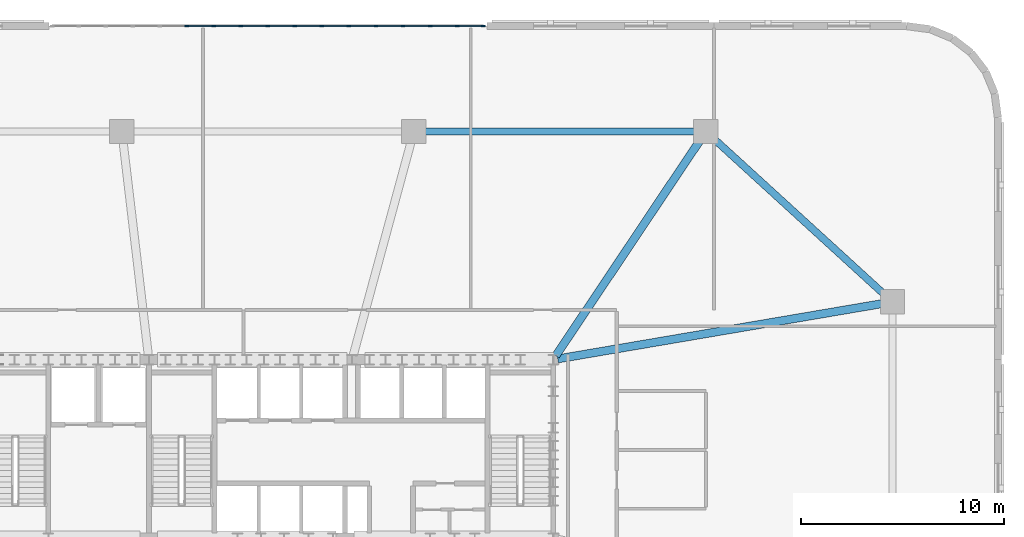
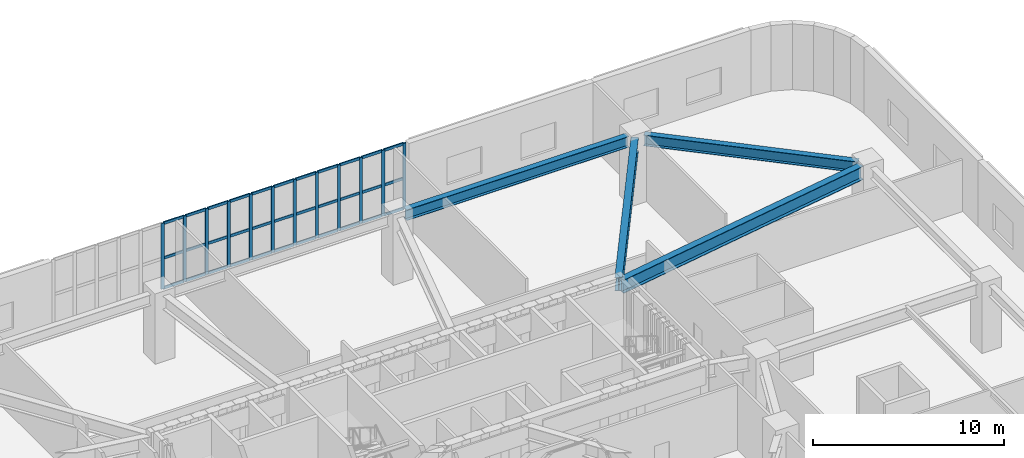
# One storey, part 10 of 25: 45 members, 4 beams, 1 element without a shape of its own.
"""IFC4 building model written with IfcOpenShell, lengths in metres."""

from ifc_helpers import new_model, si_unit, direction, frame, origin, origin_2d, place, context, subcontext, project, spatial, rectangle, i_section, extrude, material, material_profile, profile_set, type_object, element, aggregate, save


model = new_model("IFC4")

# Units and contexts
model_context = context("Model", 3, precision=1e-05, world=origin(), true_north=direction((0.0, 1.0)))
body_context = subcontext(model_context, "Body", "Model", "MODEL_VIEW")
ifc_project = project(units=[si_unit("LENGTHUNIT", "METRE"), si_unit("AREAUNIT", "SQUARE_METRE"), si_unit("VOLUMEUNIT", "CUBIC_METRE"), si_unit("PLANEANGLEUNIT", "RADIAN"), si_unit("MASSUNIT", "GRAM", prefix="KILO")], contexts=[model_context])

# Site, building, storey
site_placement = place(None, origin())
site = spatial("IfcSite", under=ifc_project, at=site_placement, CompositionType="ELEMENT")
building_placement = place(site_placement, origin())
building = spatial("IfcBuilding", under=site, at=building_placement, Name="Haldorwick Loom Tower", CompositionType="ELEMENT")
storey_placement = place(building_placement, frame((0.0, 0.0, 15.0)))
storey = spatial("IfcBuildingStorey", under=building, at=storey_placement, Name="L03", CompositionType="ELEMENT", Elevation=15.0)

# Curtain wall, members
ifc_material_1 = material(Name="Thermally Broken Anodized Aluminium Curtain Wall Framing", Category="aluminium")
curtain_wall_type = type_object("IfcCurtainWallType", Name="ARC-CW-02", PredefinedType="NOTDEFINED", material=ifc_material_1)
curtain_wall_placement = place(storey_placement, origin())
curtain_wall = element("IfcCurtainWall", 1, at=curtain_wall_placement, inside=storey, type_object=curtain_wall_type, Name="L03 Facade Curtain Wall CW-02 Bay 19", PredefinedType="NOTDEFINED")
ifc_material_profile_1 = material_profile(ifc_material_1, rectangle(XDim=0.070068359375, YDim=0.195068359375, at=origin_2d()), Name="ALU_MUL_70X195", Category="aluminium")
ifc_profile_set_1 = profile_set([ifc_material_profile_1], Name="Thermally Broken Anodized Aluminium Curtain Wall Framing")
member_type_1 = type_object("IfcMemberType", Name="ARC-CWM-02", PredefinedType="MULLION", material=ifc_profile_set_1)
member_1_placement = place(storey_placement, frame((46.625, 52.0, 0.0), z_axis=(0.0, 0.0, 1.0), x_axis=(0.0, -1.0, 0.0)))
member_1 = element("IfcMember", 2, at=member_1_placement, type_object=member_type_1, Name="CW-02 mullion 1", PredefinedType="MULLION", context=body_context, shape_type="SweptSolid", body=[
    extrude(rectangle(XDim=0.070068359375, YDim=0.195068359375, at=origin_2d()), origin(), (0.0, 0.0, 1.0), 4.199951171875),
])
member_2_placement = place(storey_placement, frame((45.327392578125, 52.0, 0.0), z_axis=(0.0, 0.0, 1.0), x_axis=(0.0, -1.0, 0.0)))
member_2 = element("IfcMember", 3, at=member_2_placement, type_object=member_type_1, Name="CW-02 mullion 2", PredefinedType="MULLION", context=body_context, shape_type="SweptSolid", body=[
    extrude(rectangle(XDim=0.070068359375, YDim=0.195068359375, at=origin_2d()), origin(), (0.0, 0.0, 1.0), 4.199951171875),
])
member_3_placement = place(storey_placement, frame((43.9951171875, 52.0, 0.0), z_axis=(0.0, 0.0, 1.0), x_axis=(0.0, -1.0, 0.0)))
member_3 = element("IfcMember", 4, at=member_3_placement, type_object=member_type_1, Name="CW-02 mullion 3", PredefinedType="MULLION", context=body_context, shape_type="SweptSolid", body=[
    extrude(rectangle(XDim=0.070068359375, YDim=0.195068359375, at=origin_2d()), origin(), (0.0, 0.0, 1.0), 4.199951171875),
])
member_4_placement = place(storey_placement, frame((42.66259765625, 52.0, 0.0), z_axis=(0.0, 0.0, 1.0), x_axis=(0.0, -1.0, 0.0)))
member_4 = element("IfcMember", 5, at=member_4_placement, type_object=member_type_1, Name="CW-02 mullion 4", PredefinedType="MULLION", context=body_context, shape_type="SweptSolid", body=[
    extrude(rectangle(XDim=0.070068359375, YDim=0.195068359375, at=origin_2d()), origin(), (0.0, 0.0, 1.0), 4.199951171875),
])
member_5_placement = place(storey_placement, frame((41.330078125, 52.0, 0.0), z_axis=(0.0, 0.0, 1.0), x_axis=(0.0, -1.0, 0.0)))
member_5 = element("IfcMember", 6, at=member_5_placement, type_object=member_type_1, Name="CW-02 mullion 5", PredefinedType="MULLION", context=body_context, shape_type="SweptSolid", body=[
    extrude(rectangle(XDim=0.070068359375, YDim=0.195068359375, at=origin_2d()), origin(), (0.0, 0.0, 1.0), 4.199951171875),
])
member_6_placement = place(storey_placement, frame((39.99755859375, 52.0, 0.0), z_axis=(0.0, 0.0, 1.0), x_axis=(0.0, -1.0, 0.0)))
member_6 = element("IfcMember", 7, at=member_6_placement, type_object=member_type_1, Name="CW-02 mullion 6", PredefinedType="MULLION", context=body_context, shape_type="SweptSolid", body=[
    extrude(rectangle(XDim=0.070068359375, YDim=0.195068359375, at=origin_2d()), origin(), (0.0, 0.0, 1.0), 4.199951171875),
])
member_7_placement = place(storey_placement, frame((38.6650390625, 52.0, 0.0), z_axis=(0.0, 0.0, 1.0), x_axis=(0.0, -1.0, 0.0)))
member_7 = element("IfcMember", 8, at=member_7_placement, type_object=member_type_1, Name="CW-02 mullion 7", PredefinedType="MULLION", context=body_context, shape_type="SweptSolid", body=[
    extrude(rectangle(XDim=0.070068359375, YDim=0.195068359375, at=origin_2d()), origin(), (0.0, 0.0, 1.0), 4.199951171875),
])
member_8_placement = place(storey_placement, frame((37.33251953125, 52.0, 0.0), z_axis=(0.0, 0.0, 1.0), x_axis=(0.0, -1.0, 0.0)))
member_8 = element("IfcMember", 9, at=member_8_placement, type_object=member_type_1, Name="CW-02 mullion 8", PredefinedType="MULLION", context=body_context, shape_type="SweptSolid", body=[
    extrude(rectangle(XDim=0.070068359375, YDim=0.195068359375, at=origin_2d()), origin(), (0.0, 0.0, 1.0), 4.199951171875),
])
member_9_placement = place(storey_placement, frame((36.0, 52.0, 0.0), z_axis=(0.0, 0.0, 1.0), x_axis=(0.0, -1.0, 0.0)))
member_9 = element("IfcMember", 10, at=member_9_placement, type_object=member_type_1, Name="CW-02 mullion 9", PredefinedType="MULLION", context=body_context, shape_type="SweptSolid", body=[
    extrude(rectangle(XDim=0.070068359375, YDim=0.195068359375, at=origin_2d()), origin(), (0.0, 0.0, 1.0), 4.199951171875),
])
member_10_placement = place(storey_placement, frame((34.66748046875, 52.0, 0.0), z_axis=(0.0, 0.0, 1.0), x_axis=(0.0, -1.0, 0.0)))
member_10 = element("IfcMember", 11, at=member_10_placement, type_object=member_type_1, Name="CW-02 mullion 10", PredefinedType="MULLION", context=body_context, shape_type="SweptSolid", body=[
    extrude(rectangle(XDim=0.070068359375, YDim=0.195068359375, at=origin_2d()), origin(), (0.0, 0.0, 1.0), 4.199951171875),
])
member_11_placement = place(storey_placement, frame((33.3349609375, 52.0, 0.0), z_axis=(0.0, 0.0, 1.0), x_axis=(0.0, -1.0, 0.0)))
member_11 = element("IfcMember", 12, at=member_11_placement, type_object=member_type_1, Name="CW-02 mullion 11", PredefinedType="MULLION", context=body_context, shape_type="SweptSolid", body=[
    extrude(rectangle(XDim=0.070068359375, YDim=0.195068359375, at=origin_2d()), origin(), (0.0, 0.0, 1.0), 4.199951171875),
])
member_12_placement = place(storey_placement, frame((32.00244140625, 52.0, 0.0), z_axis=(0.0, 0.0, 1.0), x_axis=(0.0, -1.0, 0.0)))
member_12 = element("IfcMember", 13, at=member_12_placement, type_object=member_type_1, Name="CW-02 mullion 12", PredefinedType="MULLION", context=body_context, shape_type="SweptSolid", body=[
    extrude(rectangle(XDim=0.070068359375, YDim=0.195068359375, at=origin_2d()), origin(), (0.0, 0.0, 1.0), 4.199951171875),
])
ifc_material_profile_2 = material_profile(ifc_material_1, rectangle(XDim=0.070068359375, YDim=0.175048828125, at=origin_2d()), Name="ALU_TRN_70X175", Category="aluminium")
ifc_profile_set_2 = profile_set([ifc_material_profile_2], Name="Thermally Broken Anodized Aluminium Curtain Wall Framing")
member_type_2 = type_object("IfcMemberType", Name="ARC-CWT-02", PredefinedType="USERDEFINED", material=ifc_profile_set_2)
member_13_placement = place(storey_placement, frame((46.590087890625, 52.0, 0.034912109375), z_axis=(-1.0, 0.0, 0.0), x_axis=(0.0, -1.0, 0.0)))
member_13 = element("IfcMember", 14, at=member_13_placement, type_object=member_type_2, Name="CW-02 transom 1.1", ObjectType="TRANSOM", PredefinedType="USERDEFINED", context=body_context, shape_type="SweptSolid", body=[
    extrude(rectangle(XDim=0.070068359375, YDim=0.175048828125, at=origin_2d()), origin(), (0.0, 0.0, 1.0), 1.2275390625),
])
member_14_placement = place(storey_placement, frame((46.590087890625, 52.0, 1.949951171875), z_axis=(-1.0, 0.0, 0.0), x_axis=(0.0, -1.0, 0.0)))
member_14 = element("IfcMember", 15, at=member_14_placement, type_object=member_type_2, Name="CW-02 transom 1.2", ObjectType="TRANSOM", PredefinedType="USERDEFINED", context=body_context, shape_type="SweptSolid", body=[
    extrude(rectangle(XDim=0.070068359375, YDim=0.175048828125, at=origin_2d()), origin(), (0.0, 0.0, 1.0), 1.2275390625),
])
member_15_placement = place(storey_placement, frame((46.590087890625, 52.0, 4.1650390625), z_axis=(-1.0, 0.0, 0.0), x_axis=(0.0, -1.0, 0.0)))
member_15 = element("IfcMember", 16, at=member_15_placement, type_object=member_type_2, Name="CW-02 transom 1.3", ObjectType="TRANSOM", PredefinedType="USERDEFINED", context=body_context, shape_type="SweptSolid", body=[
    extrude(rectangle(XDim=0.070068359375, YDim=0.175048828125, at=origin_2d()), origin(), (0.0, 0.0, 1.0), 1.2275390625),
])
member_16_placement = place(storey_placement, frame((45.29248046875, 52.0, 0.034912109375), z_axis=(-1.0, 0.0, 0.0), x_axis=(0.0, -1.0, 0.0)))
member_16 = element("IfcMember", 17, at=member_16_placement, type_object=member_type_2, Name="CW-02 transom 2.1", ObjectType="TRANSOM", PredefinedType="USERDEFINED", context=body_context, shape_type="SweptSolid", body=[
    extrude(rectangle(XDim=0.070068359375, YDim=0.175048828125, at=origin_2d()), origin(), (0.0, 0.0, 1.0), 1.262451171875),
])
member_17_placement = place(storey_placement, frame((45.29248046875, 52.0, 1.949951171875), z_axis=(-1.0, 0.0, 0.0), x_axis=(0.0, -1.0, 0.0)))
member_17 = element("IfcMember", 18, at=member_17_placement, type_object=member_type_2, Name="CW-02 transom 2.2", ObjectType="TRANSOM", PredefinedType="USERDEFINED", context=body_context, shape_type="SweptSolid", body=[
    extrude(rectangle(XDim=0.070068359375, YDim=0.175048828125, at=origin_2d()), origin(), (0.0, 0.0, 1.0), 1.262451171875),
])
member_18_placement = place(storey_placement, frame((45.29248046875, 52.0, 4.1650390625), z_axis=(-1.0, 0.0, 0.0), x_axis=(0.0, -1.0, 0.0)))
member_18 = element("IfcMember", 19, at=member_18_placement, type_object=member_type_2, Name="CW-02 transom 2.3", ObjectType="TRANSOM", PredefinedType="USERDEFINED", context=body_context, shape_type="SweptSolid", body=[
    extrude(rectangle(XDim=0.070068359375, YDim=0.175048828125, at=origin_2d()), origin(), (0.0, 0.0, 1.0), 1.262451171875),
])
member_19_placement = place(storey_placement, frame((43.9599609375, 52.0, 0.034912109375), z_axis=(-1.0, 0.0, 0.0), x_axis=(0.0, -1.0, 0.0)))
member_19 = element("IfcMember", 20, at=member_19_placement, type_object=member_type_2, Name="CW-02 transom 3.1", ObjectType="TRANSOM", PredefinedType="USERDEFINED", context=body_context, shape_type="SweptSolid", body=[
    extrude(rectangle(XDim=0.070068359375, YDim=0.175048828125, at=origin_2d()), origin(), (0.0, 0.0, 1.0), 1.262451171875),
])
member_20_placement = place(storey_placement, frame((43.9599609375, 52.0, 1.949951171875), z_axis=(-1.0, 0.0, 0.0), x_axis=(0.0, -1.0, 0.0)))
member_20 = element("IfcMember", 21, at=member_20_placement, type_object=member_type_2, Name="CW-02 transom 3.2", ObjectType="TRANSOM", PredefinedType="USERDEFINED", context=body_context, shape_type="SweptSolid", body=[
    extrude(rectangle(XDim=0.070068359375, YDim=0.175048828125, at=origin_2d()), origin(), (0.0, 0.0, 1.0), 1.262451171875),
])
member_21_placement = place(storey_placement, frame((43.9599609375, 52.0, 4.1650390625), z_axis=(-1.0, 0.0, 0.0), x_axis=(0.0, -1.0, 0.0)))
member_21 = element("IfcMember", 22, at=member_21_placement, type_object=member_type_2, Name="CW-02 transom 3.3", ObjectType="TRANSOM", PredefinedType="USERDEFINED", context=body_context, shape_type="SweptSolid", body=[
    extrude(rectangle(XDim=0.070068359375, YDim=0.175048828125, at=origin_2d()), origin(), (0.0, 0.0, 1.0), 1.262451171875),
])
member_22_placement = place(storey_placement, frame((42.62744140625, 52.0, 0.034912109375), z_axis=(-1.0, 0.0, 0.0), x_axis=(0.0, -1.0, 0.0)))
member_22 = element("IfcMember", 23, at=member_22_placement, type_object=member_type_2, Name="CW-02 transom 4.1", ObjectType="TRANSOM", PredefinedType="USERDEFINED", context=body_context, shape_type="SweptSolid", body=[
    extrude(rectangle(XDim=0.070068359375, YDim=0.175048828125, at=origin_2d()), origin(), (0.0, 0.0, 1.0), 1.262451171875),
])
member_23_placement = place(storey_placement, frame((42.62744140625, 52.0, 1.949951171875), z_axis=(-1.0, 0.0, 0.0), x_axis=(0.0, -1.0, 0.0)))
member_23 = element("IfcMember", 24, at=member_23_placement, type_object=member_type_2, Name="CW-02 transom 4.2", ObjectType="TRANSOM", PredefinedType="USERDEFINED", context=body_context, shape_type="SweptSolid", body=[
    extrude(rectangle(XDim=0.070068359375, YDim=0.175048828125, at=origin_2d()), origin(), (0.0, 0.0, 1.0), 1.262451171875),
])
member_24_placement = place(storey_placement, frame((42.62744140625, 52.0, 4.1650390625), z_axis=(-1.0, 0.0, 0.0), x_axis=(0.0, -1.0, 0.0)))
member_24 = element("IfcMember", 25, at=member_24_placement, type_object=member_type_2, Name="CW-02 transom 4.3", ObjectType="TRANSOM", PredefinedType="USERDEFINED", context=body_context, shape_type="SweptSolid", body=[
    extrude(rectangle(XDim=0.070068359375, YDim=0.175048828125, at=origin_2d()), origin(), (0.0, 0.0, 1.0), 1.262451171875),
])
member_25_placement = place(storey_placement, frame((41.294921875, 52.0, 0.034912109375), z_axis=(-1.0, 0.0, 0.0), x_axis=(0.0, -1.0, 0.0)))
member_25 = element("IfcMember", 26, at=member_25_placement, type_object=member_type_2, Name="CW-02 transom 5.1", ObjectType="TRANSOM", PredefinedType="USERDEFINED", context=body_context, shape_type="SweptSolid", body=[
    extrude(rectangle(XDim=0.070068359375, YDim=0.175048828125, at=origin_2d()), origin(), (0.0, 0.0, 1.0), 1.262451171875),
])
member_26_placement = place(storey_placement, frame((41.294921875, 52.0, 1.949951171875), z_axis=(-1.0, 0.0, 0.0), x_axis=(0.0, -1.0, 0.0)))
member_26 = element("IfcMember", 27, at=member_26_placement, type_object=member_type_2, Name="CW-02 transom 5.2", ObjectType="TRANSOM", PredefinedType="USERDEFINED", context=body_context, shape_type="SweptSolid", body=[
    extrude(rectangle(XDim=0.070068359375, YDim=0.175048828125, at=origin_2d()), origin(), (0.0, 0.0, 1.0), 1.262451171875),
])
member_27_placement = place(storey_placement, frame((41.294921875, 52.0, 4.1650390625), z_axis=(-1.0, 0.0, 0.0), x_axis=(0.0, -1.0, 0.0)))
member_27 = element("IfcMember", 28, at=member_27_placement, type_object=member_type_2, Name="CW-02 transom 5.3", ObjectType="TRANSOM", PredefinedType="USERDEFINED", context=body_context, shape_type="SweptSolid", body=[
    extrude(rectangle(XDim=0.070068359375, YDim=0.175048828125, at=origin_2d()), origin(), (0.0, 0.0, 1.0), 1.262451171875),
])
member_28_placement = place(storey_placement, frame((39.96240234375, 52.0, 0.034912109375), z_axis=(-1.0, 0.0, 0.0), x_axis=(0.0, -1.0, 0.0)))
member_28 = element("IfcMember", 29, at=member_28_placement, type_object=member_type_2, Name="CW-02 transom 6.1", ObjectType="TRANSOM", PredefinedType="USERDEFINED", context=body_context, shape_type="SweptSolid", body=[
    extrude(rectangle(XDim=0.070068359375, YDim=0.175048828125, at=origin_2d()), origin(), (0.0, 0.0, 1.0), 1.262451171875),
])
member_29_placement = place(storey_placement, frame((39.96240234375, 52.0, 1.949951171875), z_axis=(-1.0, 0.0, 0.0), x_axis=(0.0, -1.0, 0.0)))
member_29 = element("IfcMember", 30, at=member_29_placement, type_object=member_type_2, Name="CW-02 transom 6.2", ObjectType="TRANSOM", PredefinedType="USERDEFINED", context=body_context, shape_type="SweptSolid", body=[
    extrude(rectangle(XDim=0.070068359375, YDim=0.175048828125, at=origin_2d()), origin(), (0.0, 0.0, 1.0), 1.262451171875),
])
member_30_placement = place(storey_placement, frame((39.96240234375, 52.0, 4.1650390625), z_axis=(-1.0, 0.0, 0.0), x_axis=(0.0, -1.0, 0.0)))
member_30 = element("IfcMember", 31, at=member_30_placement, type_object=member_type_2, Name="CW-02 transom 6.3", ObjectType="TRANSOM", PredefinedType="USERDEFINED", context=body_context, shape_type="SweptSolid", body=[
    extrude(rectangle(XDim=0.070068359375, YDim=0.175048828125, at=origin_2d()), origin(), (0.0, 0.0, 1.0), 1.262451171875),
])
member_31_placement = place(storey_placement, frame((38.6298828125, 52.0, 0.034912109375), z_axis=(-1.0, 0.0, 0.0), x_axis=(0.0, -1.0, 0.0)))
member_31 = element("IfcMember", 32, at=member_31_placement, type_object=member_type_2, Name="CW-02 transom 7.1", ObjectType="TRANSOM", PredefinedType="USERDEFINED", context=body_context, shape_type="SweptSolid", body=[
    extrude(rectangle(XDim=0.070068359375, YDim=0.175048828125, at=origin_2d()), origin(), (0.0, 0.0, 1.0), 1.262451171875),
])
member_32_placement = place(storey_placement, frame((38.6298828125, 52.0, 1.949951171875), z_axis=(-1.0, 0.0, 0.0), x_axis=(0.0, -1.0, 0.0)))
member_32 = element("IfcMember", 33, at=member_32_placement, type_object=member_type_2, Name="CW-02 transom 7.2", ObjectType="TRANSOM", PredefinedType="USERDEFINED", context=body_context, shape_type="SweptSolid", body=[
    extrude(rectangle(XDim=0.070068359375, YDim=0.175048828125, at=origin_2d()), origin(), (0.0, 0.0, 1.0), 1.262451171875),
])
member_33_placement = place(storey_placement, frame((38.6298828125, 52.0, 4.1650390625), z_axis=(-1.0, 0.0, 0.0), x_axis=(0.0, -1.0, 0.0)))
member_33 = element("IfcMember", 34, at=member_33_placement, type_object=member_type_2, Name="CW-02 transom 7.3", ObjectType="TRANSOM", PredefinedType="USERDEFINED", context=body_context, shape_type="SweptSolid", body=[
    extrude(rectangle(XDim=0.070068359375, YDim=0.175048828125, at=origin_2d()), origin(), (0.0, 0.0, 1.0), 1.262451171875),
])
member_34_placement = place(storey_placement, frame((37.297607421875, 52.0, 0.034912109375), z_axis=(-1.0, 0.0, 0.0), x_axis=(0.0, -1.0, 0.0)))
member_34 = element("IfcMember", 35, at=member_34_placement, type_object=member_type_2, Name="CW-02 transom 8.1", ObjectType="TRANSOM", PredefinedType="USERDEFINED", context=body_context, shape_type="SweptSolid", body=[
    extrude(rectangle(XDim=0.070068359375, YDim=0.175048828125, at=origin_2d()), origin(), (0.0, 0.0, 1.0), 1.2626953125),
])
member_35_placement = place(storey_placement, frame((37.297607421875, 52.0, 1.949951171875), z_axis=(-1.0, 0.0, 0.0), x_axis=(0.0, -1.0, 0.0)))
member_35 = element("IfcMember", 36, at=member_35_placement, type_object=member_type_2, Name="CW-02 transom 8.2", ObjectType="TRANSOM", PredefinedType="USERDEFINED", context=body_context, shape_type="SweptSolid", body=[
    extrude(rectangle(XDim=0.070068359375, YDim=0.175048828125, at=origin_2d()), origin(), (0.0, 0.0, 1.0), 1.2626953125),
])
member_36_placement = place(storey_placement, frame((37.297607421875, 52.0, 4.1650390625), z_axis=(-1.0, 0.0, 0.0), x_axis=(0.0, -1.0, 0.0)))
member_36 = element("IfcMember", 37, at=member_36_placement, type_object=member_type_2, Name="CW-02 transom 8.3", ObjectType="TRANSOM", PredefinedType="USERDEFINED", context=body_context, shape_type="SweptSolid", body=[
    extrude(rectangle(XDim=0.070068359375, YDim=0.175048828125, at=origin_2d()), origin(), (0.0, 0.0, 1.0), 1.2626953125),
])
member_37_placement = place(storey_placement, frame((35.965087890625, 52.0, 0.034912109375), z_axis=(-1.0, 0.0, 0.0), x_axis=(0.0, -1.0, 0.0)))
member_37 = element("IfcMember", 38, at=member_37_placement, type_object=member_type_2, Name="CW-02 transom 9.1", ObjectType="TRANSOM", PredefinedType="USERDEFINED", context=body_context, shape_type="SweptSolid", body=[
    extrude(rectangle(XDim=0.070068359375, YDim=0.175048828125, at=origin_2d()), origin(), (0.0, 0.0, 1.0), 1.2626953125),
])
member_38_placement = place(storey_placement, frame((35.965087890625, 52.0, 1.949951171875), z_axis=(-1.0, 0.0, 0.0), x_axis=(0.0, -1.0, 0.0)))
member_38 = element("IfcMember", 39, at=member_38_placement, type_object=member_type_2, Name="CW-02 transom 9.2", ObjectType="TRANSOM", PredefinedType="USERDEFINED", context=body_context, shape_type="SweptSolid", body=[
    extrude(rectangle(XDim=0.070068359375, YDim=0.175048828125, at=origin_2d()), origin(), (0.0, 0.0, 1.0), 1.2626953125),
])
member_39_placement = place(storey_placement, frame((35.965087890625, 52.0, 4.1650390625), z_axis=(-1.0, 0.0, 0.0), x_axis=(0.0, -1.0, 0.0)))
member_39 = element("IfcMember", 40, at=member_39_placement, type_object=member_type_2, Name="CW-02 transom 9.3", ObjectType="TRANSOM", PredefinedType="USERDEFINED", context=body_context, shape_type="SweptSolid", body=[
    extrude(rectangle(XDim=0.070068359375, YDim=0.175048828125, at=origin_2d()), origin(), (0.0, 0.0, 1.0), 1.2626953125),
])
member_40_placement = place(storey_placement, frame((34.632568359375, 52.0, 0.034912109375), z_axis=(-1.0, 0.0, 0.0), x_axis=(0.0, -1.0, 0.0)))
member_40 = element("IfcMember", 41, at=member_40_placement, type_object=member_type_2, Name="CW-02 transom 10.1", ObjectType="TRANSOM", PredefinedType="USERDEFINED", context=body_context, shape_type="SweptSolid", body=[
    extrude(rectangle(XDim=0.070068359375, YDim=0.175048828125, at=origin_2d()), origin(), (0.0, 0.0, 1.0), 1.262451171875),
])
member_41_placement = place(storey_placement, frame((34.632568359375, 52.0, 1.949951171875), z_axis=(-1.0, 0.0, 0.0), x_axis=(0.0, -1.0, 0.0)))
member_41 = element("IfcMember", 42, at=member_41_placement, type_object=member_type_2, Name="CW-02 transom 10.2", ObjectType="TRANSOM", PredefinedType="USERDEFINED", context=body_context, shape_type="SweptSolid", body=[
    extrude(rectangle(XDim=0.070068359375, YDim=0.175048828125, at=origin_2d()), origin(), (0.0, 0.0, 1.0), 1.262451171875),
])
member_42_placement = place(storey_placement, frame((34.632568359375, 52.0, 4.1650390625), z_axis=(-1.0, 0.0, 0.0), x_axis=(0.0, -1.0, 0.0)))
member_42 = element("IfcMember", 43, at=member_42_placement, type_object=member_type_2, Name="CW-02 transom 10.3", ObjectType="TRANSOM", PredefinedType="USERDEFINED", context=body_context, shape_type="SweptSolid", body=[
    extrude(rectangle(XDim=0.070068359375, YDim=0.175048828125, at=origin_2d()), origin(), (0.0, 0.0, 1.0), 1.262451171875),
])
member_43_placement = place(storey_placement, frame((33.300048828125, 52.0, 0.034912109375), z_axis=(-1.0, 0.0, 0.0), x_axis=(0.0, -1.0, 0.0)))
member_43 = element("IfcMember", 44, at=member_43_placement, type_object=member_type_2, Name="CW-02 transom 11.1", ObjectType="TRANSOM", PredefinedType="USERDEFINED", context=body_context, shape_type="SweptSolid", body=[
    extrude(rectangle(XDim=0.070068359375, YDim=0.175048828125, at=origin_2d()), origin(), (0.0, 0.0, 1.0), 1.262451171875),
])
member_44_placement = place(storey_placement, frame((33.300048828125, 52.0, 1.949951171875), z_axis=(-1.0, 0.0, 0.0), x_axis=(0.0, -1.0, 0.0)))
member_44 = element("IfcMember", 45, at=member_44_placement, type_object=member_type_2, Name="CW-02 transom 11.2", ObjectType="TRANSOM", PredefinedType="USERDEFINED", context=body_context, shape_type="SweptSolid", body=[
    extrude(rectangle(XDim=0.070068359375, YDim=0.175048828125, at=origin_2d()), origin(), (0.0, 0.0, 1.0), 1.262451171875),
])
member_45_placement = place(storey_placement, frame((33.300048828125, 52.0, 4.1650390625), z_axis=(-1.0, 0.0, 0.0), x_axis=(0.0, -1.0, 0.0)))
member_45 = element("IfcMember", 46, at=member_45_placement, type_object=member_type_2, Name="CW-02 transom 11.3", ObjectType="TRANSOM", PredefinedType="USERDEFINED", context=body_context, shape_type="SweptSolid", body=[
    extrude(rectangle(XDim=0.070068359375, YDim=0.175048828125, at=origin_2d()), origin(), (0.0, 0.0, 1.0), 1.262451171875),
])
aggregate(curtain_wall, [member_1, member_2, member_3, member_4, member_5, member_6, member_7, member_8, member_9, member_10, member_11, member_12, member_13, member_14, member_15, member_16, member_17, member_18, member_19, member_20, member_21, member_22, member_23, member_24, member_25, member_26, member_27, member_28, member_29, member_30, member_31, member_32, member_33, member_34, member_35, member_36, member_37, member_38, member_39, member_40, member_41, member_42, member_43, member_44, member_45])

# Beams
ifc_material_2 = material(Name="Steel CSA G40.21 350W", Category="steel")
ifc_material_profile_3 = material_profile(ifc_material_2, i_section(OverallWidth=0.35498046875, OverallDepth=0.695068359375, WebThickness=0.015380859375, FlangeThickness=0.02490234375, at=origin_2d()), Name="W690X217", Category="steel")
ifc_profile_set_3 = profile_set([ifc_material_profile_3], Name="Steel CSA G40.21 350W")
beam_type_1 = type_object("IfcBeamType", Name="STR-BM-SP690", PredefinedType="SPANDREL", material=ifc_profile_set_3)
beam_1_placement = place(storey_placement, frame((66.445556640625, 38.7236328125, 3.8525390625), z_axis=(-0.738482735745, 0.674272384876, 0.0), x_axis=(-0.674272384876, -0.738482735745, 0.0)))
element("IfcBeam", 47, at=beam_1_placement, inside=storey, type_object=beam_type_1, Name="L03 Podium Spandrel PSP-E3", PredefinedType="SPANDREL", context=body_context, shape_type="SweptSolid", body=[
    extrude(i_section(OverallWidth=0.35498046875, OverallDepth=0.695068359375, WebThickness=0.015380859375, FlangeThickness=0.02490234375, at=origin_2d()), origin(), (0.0, 0.0, 1.0), 11.497802734375),
])
beam_2_placement = place(storey_placement, frame((57.1201171875, 46.800048828125, 3.8525390625), z_axis=(-1.0, 0.0, 0.0), x_axis=(0.0, -1.0, 0.0)))
element("IfcBeam", 48, at=beam_2_placement, inside=storey, type_object=beam_type_1, Name="L03 Podium Spandrel PSP-N1", PredefinedType="SPANDREL", context=body_context, shape_type="SweptSolid", body=[
    extrude(i_section(OverallWidth=0.35498046875, OverallDepth=0.695068359375, WebThickness=0.015380859375, FlangeThickness=0.02490234375, at=origin_2d()), origin(), (0.0, 0.0, 1.0), 13.440185546875),
])
ifc_material_profile_4 = material_profile(ifc_material_2, i_section(OverallWidth=0.39990234375, OverallDepth=0.85498046875, WebThickness=0.018310546875, FlangeThickness=0.029296875, at=origin_2d()), Name="W840X299", Category="steel")
ifc_profile_set_4 = profile_set([ifc_material_profile_4], Name="Steel CSA G40.21 350W")
beam_type_2 = type_object("IfcBeamType", Name="STR-BM-W840", PredefinedType="BEAM", material=ifc_profile_set_4)
beam_3_placement = place(storey_placement, frame((50.291748046875, 35.587890625, 3.7724609375), z_axis=(0.985799279017, 0.167927905632, 0.0), x_axis=(-0.167927905632, 0.985799279017, 0.0)))
element("IfcBeam", 49, at=beam_3_placement, inside=storey, type_object=beam_type_2, Name="L03 Podium Primary Girder PG-11", PredefinedType="BEAM", context=body_context, shape_type="SweptSolid", body=[
    extrude(i_section(OverallWidth=0.39990234375, OverallDepth=0.85498046875, WebThickness=0.018310546875, FlangeThickness=0.029296875, at=origin_2d()), origin(), (0.0, 0.0, 1.0), 16.296142578125),
])
beam_4_placement = place(storey_placement, frame((57.349609375, 46.426025390625, 3.7724609375), z_axis=(-0.556223597649, -0.831032676504, 0.0), x_axis=(0.831032676504, -0.556223597649, 0.0)))
element("IfcBeam", 50, at=beam_4_placement, inside=storey, type_object=beam_type_2, Name="L03 Podium Primary Girder PG-15", PredefinedType="BEAM", context=body_context, shape_type="SweptSolid", body=[
    extrude(i_section(OverallWidth=0.39990234375, OverallDepth=0.85498046875, WebThickness=0.018310546875, FlangeThickness=0.029296875, at=origin_2d()), origin(), (0.0, 0.0, 1.0), 12.8623046875),
])

save(model, "model.ifc")
